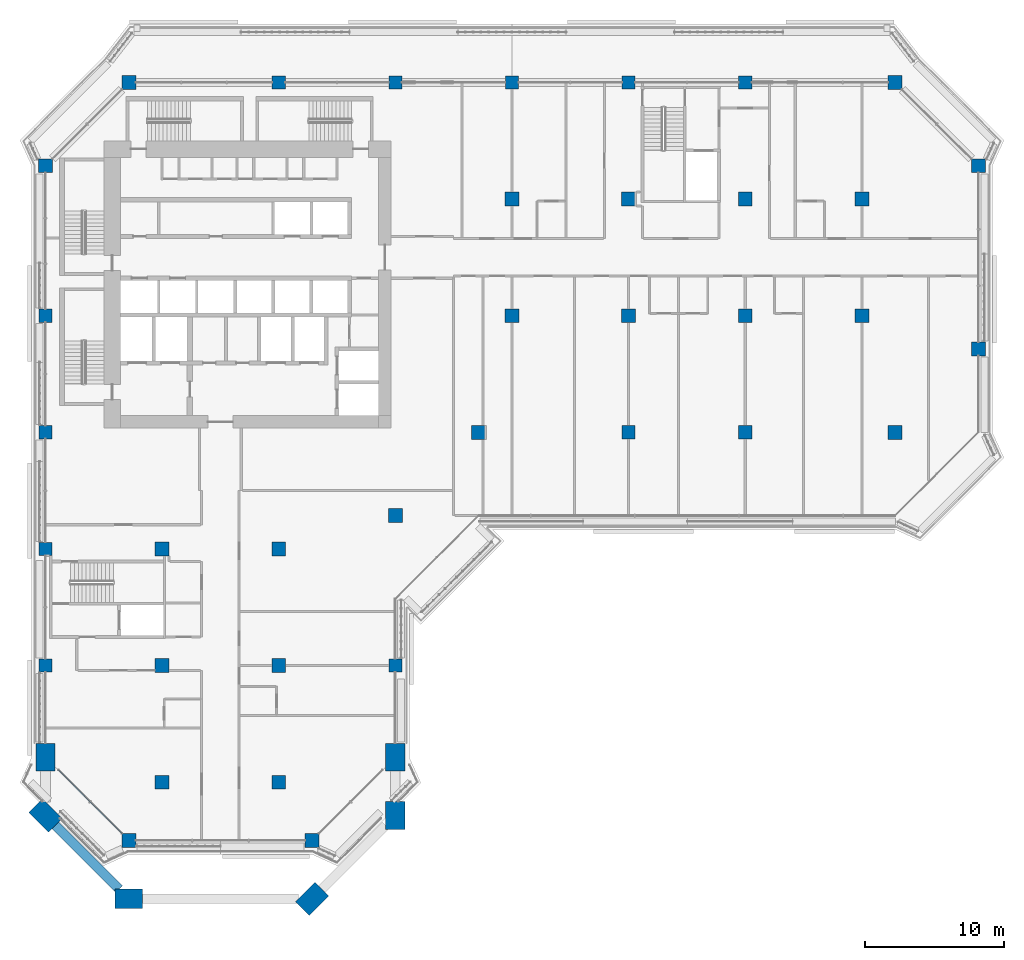
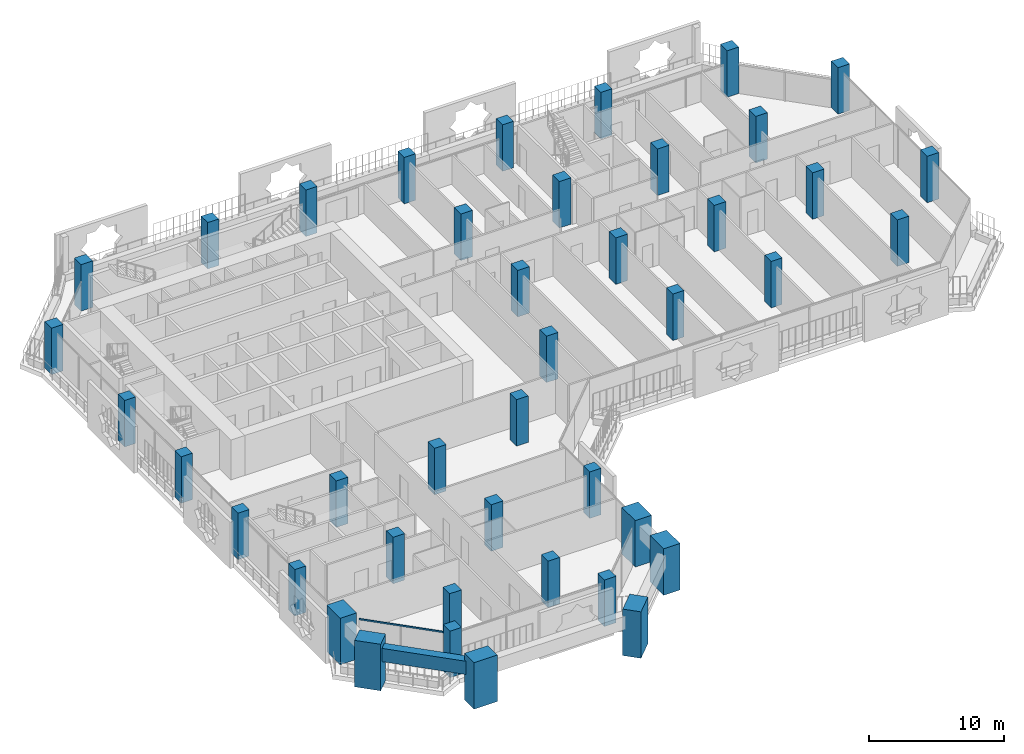
# One storey, part 1 of 23: 42 columns, 1 beam, 1 member, 1 element without a shape of its own.
"""IFC4 building model written with IfcOpenShell, lengths in metres."""

from ifc_helpers import new_model, si_unit, direction, frame, origin, origin_2d, place, context, subcontext, project, spatial, rectangle, extrude, material, layer, layer_set, material_profile, profile_set, type_object, element, aggregate, save


model = new_model("IFC4")

# Units and contexts
model_context = context("Model", 3, precision=1e-05, world=origin(), true_north=direction((0.0, 1.0)))
body_context = subcontext(model_context, "Body", "Model", "MODEL_VIEW")
ifc_project = project(units=[si_unit("LENGTHUNIT", "METRE"), si_unit("AREAUNIT", "SQUARE_METRE"), si_unit("VOLUMEUNIT", "CUBIC_METRE"), si_unit("PLANEANGLEUNIT", "RADIAN"), si_unit("MASSUNIT", "GRAM", prefix="KILO")], contexts=[model_context])

# Site, building, storey
site_placement = place(None, origin())
site = spatial("IfcSite", under=ifc_project, at=site_placement, CompositionType="ELEMENT")
building_placement = place(site_placement, origin())
building = spatial("IfcBuilding", under=site, at=building_placement, Name="Kawkab Arch Medical Tower", CompositionType="ELEMENT")
storey_placement = place(building_placement, frame((0.0, 0.0, 175.199951171875)))
storey = spatial("IfcBuildingStorey", under=building, at=storey_placement, Name="L40", CompositionType="ELEMENT", Elevation=175.199951171875)

# Columns
ifc_material_1 = material(Name="Concrete C50/60", Category="concrete")
ifc_material_profile_1 = material_profile(ifc_material_1, rectangle(XDim=1.0, YDim=1.0, at=origin_2d()), Name="RC 1000x1000")
ifc_profile_set_1 = profile_set([ifc_material_profile_1], Name="Concrete C50/60")
column_type_1 = type_object("IfcColumnType", Name="RC 1000x1000 column C50/60", PredefinedType="COLUMN", material=ifc_profile_set_1)
for number, where, z_axis, x_axis, name in (
    (1, (6.0, 0.0, 0.0), (0.0, 0.0, 1.0), (1.0, 0.0, 0.0), "Column RC 1000x1000"),
    (2, (61.199951171875, 0.0, 0.0), (0.0, 0.0, 1.0), (1.0, 0.0, 0.0), "Column RC 1000x1000"),
    (3, (0.0, -6.0, 0.0), (0.0, 0.0, 1.0), (1.0, 0.0, 0.0), "Column RC 1000x1000"),
    (4, (67.199951171875, -6.0, 0.0), (0.0, 0.0, 1.0), (1.0, 0.0, 0.0), "Column RC 1000x1000"),
    (5, (33.60009765625, -8.39990234375, 0.0), (0.0, 0.0, 1.0), (1.0, 0.0, 0.0), "Column RC 1000x1000"),
    (6, (42.0, -8.39990234375, 0.0), (0.0, 0.0, 1.0), (1.0, 0.0, 0.0), "Column RC 1000x1000"),
    (7, (50.39990234375, -8.39990234375, 0.0), (0.0, 0.0, 1.0), (1.0, 0.0, 0.0), "Column RC 1000x1000"),
    (8, (58.800048828125, -8.39990234375, 0.0), (0.0, 0.0, 1.0), (1.0, 0.0, 0.0), "Column RC 1000x1000"),
    (9, (33.60009765625, -16.800048828125, 0.0), (0.0, 0.0, 1.0), (1.0, 0.0, 0.0), "Column RC 1000x1000"),
    (10, (42.0, -16.800048828125, 0.0), (0.0, 0.0, 1.0), (1.0, 0.0, 0.0), "Column RC 1000x1000"),
    (11, (50.39990234375, -16.800048828125, 0.0), (0.0, 0.0, 1.0), (1.0, 0.0, 0.0), "Column RC 1000x1000"),
    (12, (58.800048828125, -16.800048828125, 0.0), (0.0, 0.0, 1.0), (1.0, 0.0, 0.0), "Column RC 1000x1000"),
    (13, (67.199951171875, -19.199951171875, 0.0), (0.0, 0.0, 1.0), (1.0, 0.0, 0.0), "Column RC 1000x1000"),
    (14, (31.199951171875, -25.199951171875, 0.0), (0.0, 0.0, 1.0), (1.0, 0.0, 0.0), "Column RC 1000x1000"),
    (15, (61.199951171875, -25.199951171875, 0.0), (0.0, 0.0, 1.0), (1.0, 0.0, 0.0), "Column RC 1000x1000"),
    (16, (25.199951171875, -31.199951171875, 0.0), (0.0, 0.0, 1.0), (1.0, 0.0, 0.0), "Column RC 1000x1000"),
    (17, (8.39990234375, -33.60009765625, 0.0), (0.0, 0.0, 1.0), (1.0, 0.0, 0.0), "Column RC 1000x1000"),
    (18, (16.800048828125, -33.60009765625, 0.0), (0.0, 0.0, 1.0), (1.0, 0.0, 0.0), "Column RC 1000x1000"),
    (19, (8.39990234375, -42.0, 0.0), (0.0, 0.0, 1.0), (1.0, 0.0, 0.0), "Column RC 1000x1000"),
    (20, (16.800048828125, -42.0, 0.0), (0.0, 0.0, 1.0), (1.0, 0.0, 0.0), "Column RC 1000x1000"),
    (21, (8.39990234375, -50.39990234375, 0.0), (0.0, 0.0, 1.0), (1.0, 0.0, 0.0), "Column RC 1000x1000"),
    (22, (16.800048828125, -50.39990234375, 0.0), (0.0, 0.0, 1.0), (1.0, 0.0, 0.0), "Column RC 1000x1000"),
    (23, (6.0, -54.60009765625, 0.0), (0.0, 0.0, 1.0), (1.0, 0.0, 0.0), "Column RC 1000x1000"),
    (24, (19.199951171875, -54.60009765625, 0.0), (0.0, 0.0, 1.0), (1.0, 0.0, 0.0), "Column RC 1000x1000"),
):
    element("IfcColumn", number, at=place(storey_placement, frame(where, z_axis=z_axis, x_axis=x_axis)), inside=storey, type_object=column_type_1, Name=name, PredefinedType="COLUMN", context=body_context, shape_type="SweptSolid", body=[
        extrude(rectangle(XDim=1.0, YDim=1.0, at=origin_2d()), origin(), (0.0, 0.0, 1.0), 4.199951171875),
    ])
ifc_material_2 = material(Name="Concrete C50/60", Category="concrete")
ifc_material_profile_2 = material_profile(ifc_material_2, rectangle(XDim=2.0, YDim=1.39990234375, at=origin_2d()), Name="RC 2000x1400")
ifc_profile_set_2 = profile_set([ifc_material_profile_2], Name="Concrete C50/60")
column_type_2 = type_object("IfcColumnType", Name="RC 2000x1400 column C50/60", PredefinedType="COLUMN", material=ifc_profile_set_2)
for number, where, z_axis, x_axis, name in (
    (25, (0.0, -48.60009765625, 0.0), (0.0, 0.0, 1.0), (0.0, 1.0, 0.0), "Column RC 2000x1400"),
    (26, (25.199951171875, -48.60009765625, 0.0), (0.0, 0.0, 1.0), (0.0, -1.0, 0.0), "Column RC 2000x1400"),
    (27, (25.199951171875, -52.800048828125, 0.0), (0.0, 0.0, 1.0), (0.0, -1.0, 0.0), "Column RC 2000x1400"),
    (28, (19.199951171875, -58.800048828125, 0.0), (0.0, 0.0, 1.0), (-0.707106781187, -0.707106781187, 0.0), "Column RC 2000x1400"),
    (29, (6.0, -58.800048828125, 0.0), (0.0, 0.0, 1.0), (-1.0, 0.0, 0.0), "Column RC 2000x1400"),
    (30, (0.0, -52.800048828125, 0.0), (0.0, 0.0, 1.0), (-0.707106781187, 0.707106781187, 0.0), "Column RC 2000x1400"),
):
    element("IfcColumn", number, at=place(storey_placement, frame(where, z_axis=z_axis, x_axis=x_axis)), inside=storey, type_object=column_type_2, Name=name, PredefinedType="COLUMN", context=body_context, shape_type="SweptSolid", body=[
        extrude(rectangle(XDim=2.0, YDim=1.39990234375, at=origin_2d()), origin(), (0.0, 0.0, 1.0), 4.199951171875),
    ])
ifc_material_3 = material(Name="Concrete C50/60", Category="concrete")
ifc_material_profile_3 = material_profile(ifc_material_3, rectangle(XDim=0.949951171875, YDim=0.949951171875, at=origin_2d()), Name="RC 950x950")
ifc_profile_set_3 = profile_set([ifc_material_profile_3], Name="Concrete C50/60")
column_type_3 = type_object("IfcColumnType", Name="RC 950x950 column C50/60", PredefinedType="COLUMN", material=ifc_profile_set_3)
for number, where, z_axis, x_axis, name in (
    (31, (16.800048828125, 0.0, 0.0), (0.0, 0.0, 1.0), (1.0, 0.0, 0.0), "Column RC 950x950"),
    (32, (25.199951171875, 0.0, 0.0), (0.0, 0.0, 1.0), (1.0, 0.0, 0.0), "Column RC 950x950"),
    (33, (33.60009765625, 0.0, 0.0), (0.0, 0.0, 1.0), (1.0, 0.0, 0.0), "Column RC 950x950"),
    (34, (42.0, 0.0, 0.0), (0.0, 0.0, 1.0), (1.0, 0.0, 0.0), "Column RC 950x950"),
    (35, (50.39990234375, 0.0, 0.0), (0.0, 0.0, 1.0), (1.0, 0.0, 0.0), "Column RC 950x950"),
    (36, (0.0, -16.800048828125, 0.0), (0.0, 0.0, 1.0), (1.0, 0.0, 0.0), "Column RC 950x950"),
    (37, (0.0, -25.199951171875, 0.0), (0.0, 0.0, 1.0), (1.0, 0.0, 0.0), "Column RC 950x950"),
    (38, (42.0, -25.199951171875, 0.0), (0.0, 0.0, 1.0), (1.0, 0.0, 0.0), "Column RC 950x950"),
    (39, (50.39990234375, -25.199951171875, 0.0), (0.0, 0.0, 1.0), (1.0, 0.0, 0.0), "Column RC 950x950"),
    (40, (0.0, -33.60009765625, 0.0), (0.0, 0.0, 1.0), (1.0, 0.0, 0.0), "Column RC 950x950"),
    (41, (0.0, -42.0, 0.0), (0.0, 0.0, 1.0), (1.0, 0.0, 0.0), "Column RC 950x950"),
    (42, (25.199951171875, -42.0, 0.0), (0.0, 0.0, 1.0), (1.0, 0.0, 0.0), "Column RC 950x950"),
):
    element("IfcColumn", number, at=place(storey_placement, frame(where, z_axis=z_axis, x_axis=x_axis)), inside=storey, type_object=column_type_3, Name=name, PredefinedType="COLUMN", context=body_context, shape_type="SweptSolid", body=[
        extrude(rectangle(XDim=0.949951171875, YDim=0.949951171875, at=origin_2d()), origin(), (0.0, 0.0, 1.0), 4.199951171875),
    ])

# Curtain wall, member
ifc_material_4 = material(Name="Bronze anodised aluminium curtain wall frame", Category="aluminium")
ifc_layer = layer(ifc_material_4, 0.159912109375)
ifc_layer_set = layer_set([ifc_layer], Name="Bronze anodised aluminium curtain wall frame")
curtain_wall_type = type_object("IfcCurtainWallType", Name="CW2 chamfer curtain wall", PredefinedType="NOTDEFINED", material=ifc_layer_set)
curtain_wall_placement = place(storey_placement, origin())
curtain_wall = element("IfcCurtainWall", 43, at=curtain_wall_placement, inside=storey, type_object=curtain_wall_type, Name="CW2 Chamfer curtain wall R02", PredefinedType="NOTDEFINED")
ifc_material_5 = material(Name="Bronze anodised aluminium curtain wall frame", Category="aluminium")
ifc_material_profile_4 = material_profile(ifc_material_5, rectangle(XDim=0.06005859375, YDim=0.139892578125, at=origin_2d()), Name="AL 60x140")
ifc_profile_set_4 = profile_set([ifc_material_profile_4], Name="Bronze anodised aluminium curtain wall frame")
member_type = type_object("IfcMemberType", Name="CW2 transom 140 x 60", PredefinedType="USERDEFINED", material=ifc_profile_set_4)
member_placement = place(storey_placement, frame((0.930419921875, -49.5302734375, 3.530029296875), z_axis=(0.707087892013, -0.707125669856, 0.0), x_axis=(0.707125669856, 0.707087892013, 0.0)))
member = element("IfcMember", 44, at=member_placement, type_object=member_type, Name="CW2 transom 1", ObjectType="TRANSOM", PredefinedType="USERDEFINED", context=body_context, shape_type="SweptSolid", body=[
    extrude(rectangle(XDim=0.06005859375, YDim=0.139892578125, at=origin_2d()), origin(), (0.0, 0.0, 1.0), 6.462646484375),
])
aggregate(curtain_wall, [member])

# Beam
ifc_material_6 = material(Name="Concrete C50/60", Category="concrete")
ifc_material_profile_5 = material_profile(ifc_material_6, rectangle(XDim=0.699951171875, YDim=1.199951171875, at=origin_2d()), Name="RC 700x1200")
ifc_profile_set_5 = profile_set([ifc_material_profile_5], Name="Concrete C50/60")
beam_type = type_object("IfcBeamType", Name="RC 700x1200 beam C50/60", PredefinedType="BEAM", material=ifc_profile_set_5)
beam_placement = place(storey_placement, frame((5.300048828125, -58.10009765625, 3.0), z_axis=(-0.707106781187, 0.707106781187, 0.0), x_axis=(-0.707106781187, -0.707106781187, 0.0)))
element("IfcBeam", 45, at=beam_placement, inside=storey, type_object=beam_type, Name="Terrace frame beam TF-L39-1-L41-04", PredefinedType="BEAM", context=body_context, shape_type="SweptSolid", body=[
    extrude(rectangle(XDim=0.699951171875, YDim=1.199951171875, at=origin_2d()), origin(), (0.0, 0.0, 1.0), 6.49560546875),
])

save(model, "model.ifc")
